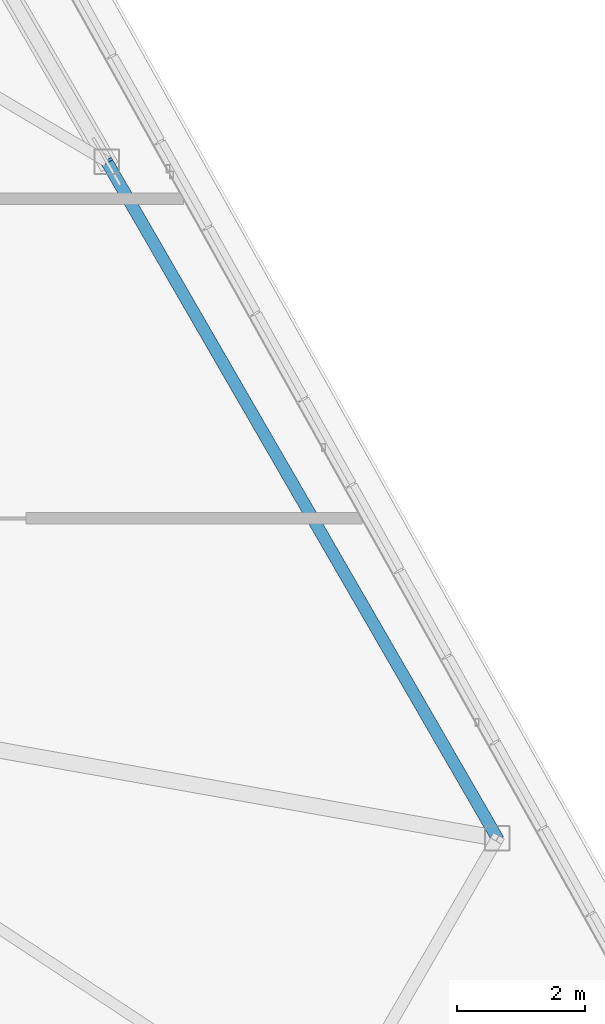
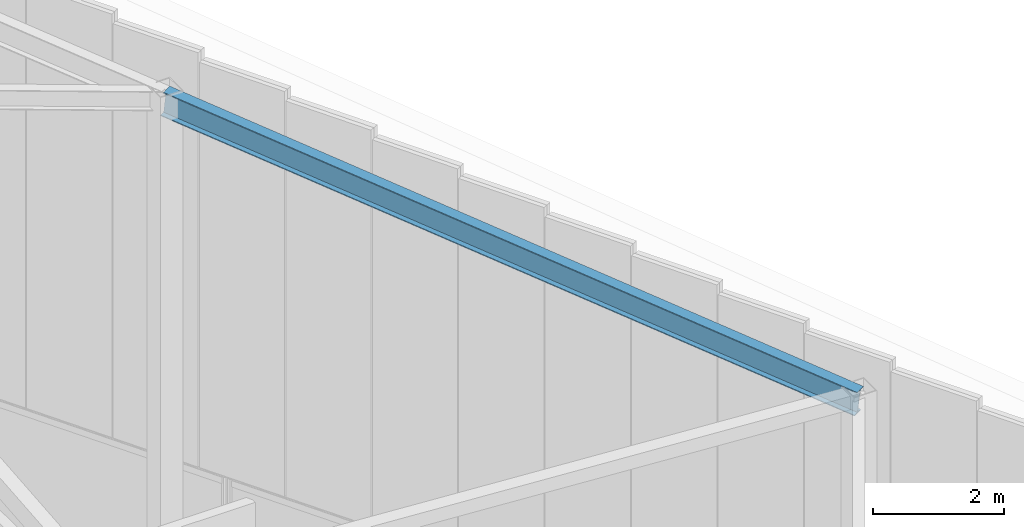
# One storey, part 25 of 50: 1 beam.
"""IFC4 building model written with IfcOpenShell, lengths in metres."""

from ifc_helpers import new_model, si_unit, direction, frame, origin, origin_2d, place, context, subcontext, project, spatial, i_section, extrude, source, transform, mapped, material, material_profile, profile_set, type_object, type_shapes, element, save


model = new_model("IFC4")

# Units and contexts
model_context = context("Model", 3, precision=1e-05, world=origin(), true_north=direction((0.0, 1.0)))
body_context = subcontext(model_context, "Body", "Model", "MODEL_VIEW")
ifc_project = project(units=[si_unit("LENGTHUNIT", "METRE"), si_unit("AREAUNIT", "SQUARE_METRE"), si_unit("VOLUMEUNIT", "CUBIC_METRE"), si_unit("PLANEANGLEUNIT", "RADIAN"), si_unit("MASSUNIT", "GRAM", prefix="KILO")], contexts=[model_context])

# Site, building, storey
site_placement = place(None, origin())
site = spatial("IfcSite", under=ifc_project, at=site_placement, CompositionType="ELEMENT")
building_placement = place(site_placement, origin())
building = spatial("IfcBuilding", under=site, at=building_placement, Name="Caelisora Broadcast Tower", CompositionType="ELEMENT")
storey_placement = place(building_placement, frame((0.0, 0.0, 303.39990234375)))
storey = spatial("IfcBuildingStorey", under=building, at=storey_placement, Name="L80", CompositionType="ELEMENT", Elevation=303.39990234375)

# Beam
ifc_material = material(Name="Steel Grade 350 (AS/NZS 3679.1)", Category="steel")
ifc_material_profile = material_profile(ifc_material, i_section(OverallWidth=0.19091796875, OverallDepth=0.46044921875, WebThickness=0.010009765625, FlangeThickness=0.01611328125, at=origin_2d()), Name="Steel Grade 350 (AS/NZS 3679.1)")
ifc_profile_set = profile_set([ifc_material_profile], Name="Steel Grade 350 (AS/NZS 3679.1)")
beam_type = type_object("IfcBeamType", Name="RB01", PredefinedType="USERDEFINED", material=ifc_profile_set)
shared_shape = source(origin(), body_context, "Body", "SweptSolid", [
    extrude(i_section(OverallWidth=0.19091796875, OverallDepth=0.46044921875, WebThickness=0.010009765625, FlangeThickness=0.01611328125, at=origin_2d()), origin(), (0.0, 0.0, 1.0), 12.2958984375),
])
type_shapes(beam_type, [shared_shape])
beam_placement = place(storey_placement, frame((59.076904296875, 14.99365234375, 9.32763671875), z_axis=(-0.49713772204, 0.861066043283, 0.106861379504), x_axis=(-0.866024963853, -0.500000761984, 0.0)))
element("IfcBeam", 1, at=beam_placement, inside=storey, type_object=beam_type, Name="L80 beam RB01", ObjectType="RAFTER", PredefinedType="USERDEFINED", context=body_context, shape_type="MappedRepresentation", body=[
    mapped(shared_shape, transform((0.0, 0.0, 0.0), scale=1.0)),
])

save(model, "model.ifc")
